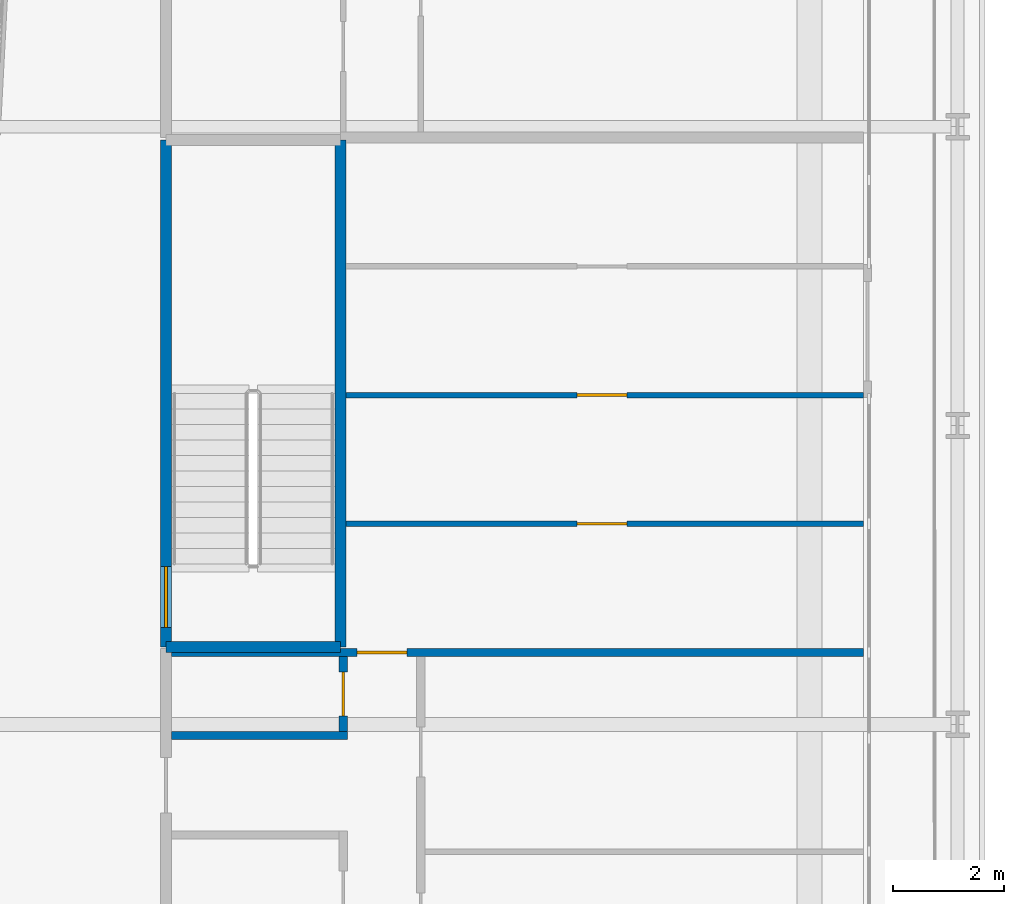
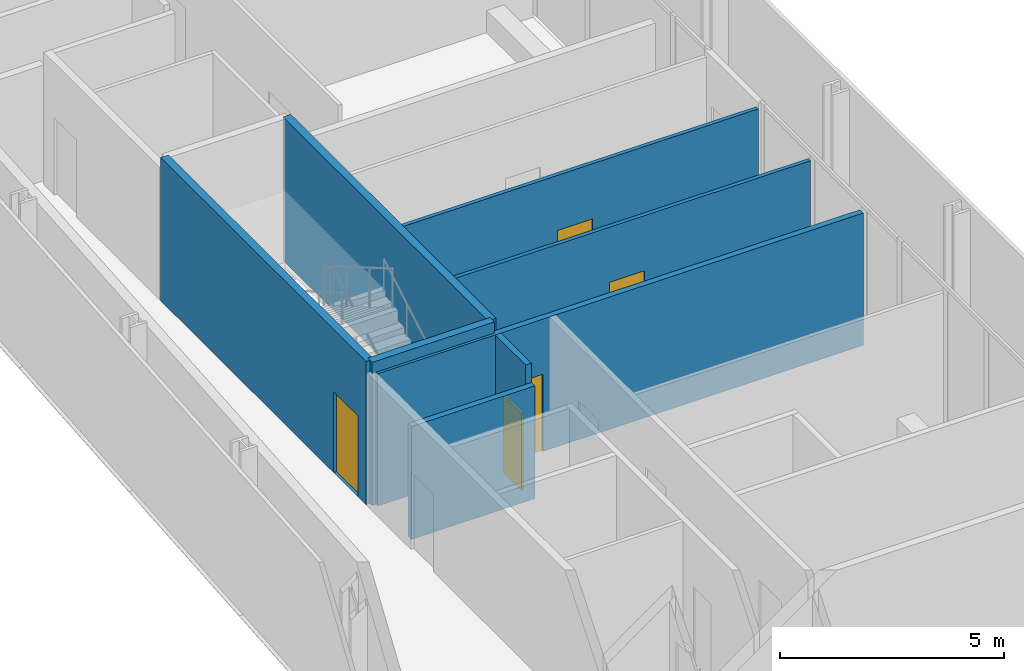
# One storey, part 17 of 27: 8 walls, 5 doors, 5 openings.
"""IFC4 building model written with IfcOpenShell, lengths in metres."""

from ifc_helpers import new_model, si_unit, direction, frame, frame_2d, origin, place, context, subcontext, project, spatial, rectangle, extrude, source, transform, mapped, material, layer, layer_set, type_object, element, fill, save


model = new_model("IFC4")

# Units and contexts
model_context = context("Model", 3, precision=1e-05, world=origin(), true_north=direction((0.0, 1.0)))
body_context = subcontext(model_context, "Body", "Model", "MODEL_VIEW")
ifc_project = project(units=[si_unit("LENGTHUNIT", "METRE"), si_unit("AREAUNIT", "SQUARE_METRE"), si_unit("VOLUMEUNIT", "CUBIC_METRE"), si_unit("PLANEANGLEUNIT", "RADIAN"), si_unit("MASSUNIT", "GRAM", prefix="KILO")], contexts=[model_context])

# Site, building, storey
site_placement = place(None, origin())
site = spatial("IfcSite", under=ifc_project, at=site_placement, CompositionType="ELEMENT")
building_placement = place(site_placement, origin())
building = spatial("IfcBuilding", under=site, at=building_placement, Name="Kheshtan School and Residences Tower", CompositionType="ELEMENT")
storey_placement = place(building_placement, frame((0.0, 0.0, 57.800048828125)))
storey = spatial("IfcBuildingStorey", under=building, at=storey_placement, Name="L13", CompositionType="ELEMENT", Elevation=57.800048828125)

# Wall, opening, door
ifc_material_1 = material(Name="Gypsum board on steel studs", Category="steel")
ifc_layer_1 = layer(ifc_material_1, 0.10009765625)
ifc_layer_set_1 = layer_set([ifc_layer_1], Name="Gypsum partition 100")
wall_type_1 = type_object("IfcWallType", Name="Gypsum partition 100", PredefinedType="PARTITIONING", material=ifc_layer_set_1)
wall_1_placement = place(storey_placement, frame((36.549072265625, 81.625, 0.0), z_axis=(0.0, 0.0, 1.0), x_axis=(1.0, 0.0, 0.0)))
wall_1 = element("IfcWall", 1, at=wall_1_placement, inside=storey, type_object=wall_type_1, Name="Partition L13-027", PredefinedType="PARTITIONING", context=body_context, shape_type="SweptSolid", body=[
    extrude(rectangle(XDim=9.350830078125, YDim=0.10009765625, at=frame_2d((4.67529296875, 0.0))), origin(), (0.0, 0.0, 1.0), 3.599853515625),
])
opening_1_placement = place(wall_1_placement, frame((4.176025390625, 0.0, 0.0)))
opening_1 = element("IfcOpeningElement", 2, at=opening_1_placement, cuts=wall_1, Name="Opening D12-049", PredefinedType="OPENING", context=body_context, shape_type="SweptSolid", body=[
    extrude(rectangle(XDim=0.89990234375, YDim=2.10009765625, at=frame_2d((0.449951171875, 1.050048828125))), frame((0.0, 0.06005859375, 0.0), z_axis=(0.0, -1.0, 0.0), x_axis=(1.0, 0.0, 0.0)), (0.0, 0.0, 1.0), 0.1201171875),
])
ifc_material_2 = material(Name="Veneered timber door leaf", Category="wood")
door_type_1 = type_object("IfcDoorType", Name="Door 900 x 2100", OperationType="SINGLE_SWING_LEFT", PredefinedType="DOOR", material=ifc_material_2)
shared_shape_1 = source(origin(), body_context, "Body", "SweptSolid", [
    extrude(rectangle(XDim=0.89990234375, YDim=2.10009765625, at=frame_2d((0.449951171875, 1.050048828125))), frame((0.0, 0.02490234375, 0.0), z_axis=(0.0, -1.0, 0.0), x_axis=(1.0, 0.0, 0.0)), (0.0, 0.0, 1.0), 0.050048828125),
])
door_1_placement = place(opening_1_placement, origin())
door_1 = element("IfcDoor", 3, at=door_1_placement, inside=storey, type_object=door_type_1, Name="Door D12-049", OperationType="SINGLE_SWING_RIGHT", OverallHeight=2.10009765625, OverallWidth=0.89990234375, PredefinedType="DOOR", context=body_context, shape_type="MappedRepresentation", body=[
    mapped(shared_shape_1, transform((0.0, 0.0, 0.0), x_axis=(1.0, 0.0, 0.0), y_axis=(0.0, 1.0, 0.0), z_axis=(0.0, 0.0, 1.0), scale=1.0)),
])
fill(opening_1, door_1)

wall_2_placement = place(storey_placement, frame((36.549072265625, 83.949951171875, 0.0), z_axis=(0.0, 0.0, 1.0), x_axis=(1.0, 0.0, 0.0)))
wall_2 = element("IfcWall", 4, at=wall_2_placement, inside=storey, type_object=wall_type_1, Name="Partition L13-028", PredefinedType="PARTITIONING", context=body_context, shape_type="SweptSolid", body=[
    extrude(rectangle(XDim=9.350830078125, YDim=0.10009765625, at=frame_2d((4.67529296875, 0.0))), origin(), (0.0, 0.0, 1.0), 3.599853515625),
])
opening_2_placement = place(wall_2_placement, frame((4.176025390625, 0.0, 0.0)))
opening_2 = element("IfcOpeningElement", 5, at=opening_2_placement, cuts=wall_2, Name="Opening D12-050", PredefinedType="OPENING", context=body_context, shape_type="SweptSolid", body=[
    extrude(rectangle(XDim=0.89990234375, YDim=2.10009765625, at=frame_2d((0.449951171875, 1.050048828125))), frame((0.0, 0.06005859375, 0.0), z_axis=(0.0, -1.0, 0.0), x_axis=(1.0, 0.0, 0.0)), (0.0, 0.0, 1.0), 0.1201171875),
])
door_2_placement = place(opening_2_placement, origin())
door_2 = element("IfcDoor", 6, at=door_2_placement, inside=storey, type_object=door_type_1, Name="Door D12-050", OperationType="SINGLE_SWING_RIGHT", OverallHeight=2.10009765625, OverallWidth=0.89990234375, PredefinedType="DOOR", context=body_context, shape_type="MappedRepresentation", body=[
    mapped(shared_shape_1, transform((0.0, 0.0, 0.0), x_axis=(1.0, 0.0, 0.0), y_axis=(0.0, 1.0, 0.0), z_axis=(0.0, 0.0, 1.0), scale=1.0)),
])
fill(opening_2, door_2)

# Wall
ifc_material_3 = material(Name="Concrete C40/50", Category="concrete")
ifc_layer_2 = layer(ifc_material_3, 0.199951171875)
ifc_layer_set_2 = layer_set([ifc_layer_2], Name="Stair enclosure wall 200 Concrete C40/50")
wall_type_2 = type_object("IfcWallType", Name="Stair enclosure wall 200 Concrete C40/50", PredefinedType="SHEAR", material=ifc_layer_set_2)
wall_3_placement = place(storey_placement, frame((33.300048828125, 79.39990234375, 0.0), z_axis=(0.0, 0.0, 1.0), x_axis=(1.0, 0.0, 0.0)))
element("IfcWall", 7, at=wall_3_placement, inside=storey, type_object=wall_type_2, Name="Stair enclosure wall ST3", PredefinedType="SHEAR", context=body_context, shape_type="SweptSolid", body=[
    extrude(rectangle(XDim=3.14990234375, YDim=0.199951171875, at=frame_2d((1.574951171875, 0.0))), origin(), (0.0, 0.0, 1.0), 3.89990234375),
])

# Wall, opening, door
wall_4_placement = place(storey_placement, frame((33.300048828125, 79.39990234375, 0.0), z_axis=(0.0, 0.0, 1.0), x_axis=(0.0, 1.0, 0.0)))
wall_4 = element("IfcWall", 8, at=wall_4_placement, inside=storey, type_object=wall_type_2, Name="Stair enclosure wall ST3", PredefinedType="SHEAR", context=body_context, shape_type="SweptSolid", body=[
    extrude(rectangle(XDim=9.16015625, YDim=0.199951171875, at=frame_2d((4.580078125, 0.0))), origin(), (0.0, 0.0, 1.0), 3.89990234375),
])
opening_3_placement = place(wall_4_placement, frame((0.35009765625, 0.0, 0.0)))
opening_3 = element("IfcOpeningElement", 9, at=opening_3_placement, cuts=wall_4, Name="Opening ST3D", PredefinedType="OPENING", context=body_context, shape_type="SweptSolid", body=[
    extrude(rectangle(XDim=1.10009765625, YDim=2.199951171875, at=frame_2d((0.550048828125, 1.10009765625))), frame((0.0, 0.10986328125, 0.0), z_axis=(0.0, -1.0, 0.0), x_axis=(1.0, 0.0, 0.0)), (0.0, 0.0, 1.0), 0.219970703125),
])
ifc_material_4 = material(Name="Steel door leaf, galvanised", Category="steel")
door_type_2 = type_object("IfcDoorType", Name="Stair door 1100 steel 90 min", OperationType="SINGLE_SWING_LEFT", PredefinedType="DOOR", material=ifc_material_4)
shared_shape_2 = source(origin(), body_context, "Body", "SweptSolid", [
    extrude(rectangle(XDim=1.10009765625, YDim=2.199951171875, at=frame_2d((0.550048828125, 1.10009765625))), frame((0.0, 0.02490234375, 0.0), z_axis=(0.0, -1.0, 0.0), x_axis=(1.0, 0.0, 0.0)), (0.0, 0.0, 1.0), 0.050048828125),
])
door_3_placement = place(opening_3_placement, origin())
door_3 = element("IfcDoor", 10, at=door_3_placement, inside=storey, type_object=door_type_2, Name="Stair ST3 door", OperationType="SINGLE_SWING_RIGHT", OverallHeight=2.199951171875, OverallWidth=1.10009765625, PredefinedType="DOOR", context=body_context, shape_type="MappedRepresentation", body=[
    mapped(shared_shape_2, transform((0.0, 0.0, 0.0), x_axis=(1.0, 0.0, 0.0), y_axis=(0.0, 1.0, 0.0), z_axis=(0.0, 0.0, 1.0), scale=1.0)),
])
fill(opening_3, door_3)

# Walls
wall_5_placement = place(storey_placement, frame((36.449951171875, 79.39990234375, 0.0), z_axis=(0.0, 0.0, 1.0), x_axis=(0.0, 1.0, 0.0)))
element("IfcWall", 11, at=wall_5_placement, inside=storey, type_object=wall_type_2, Name="Stair enclosure wall ST3", PredefinedType="SHEAR", context=body_context, shape_type="SweptSolid", body=[
    extrude(rectangle(XDim=9.16015625, YDim=0.199951171875, at=frame_2d((4.580078125, 0.0))), origin(), (0.0, 0.0, 1.0), 3.89990234375),
])
ifc_material_5 = material(Name="Moisture-resistant gypsum board on steel studs", Category="steel")
ifc_layer_3 = layer(ifc_material_5, 0.14990234375)
ifc_layer_set_3 = layer_set([ifc_layer_3], Name="Wet-room partition 150")
wall_type_3 = type_object("IfcWallType", Name="Wet-room partition 150", PredefinedType="PARTITIONING", material=ifc_layer_set_3)
wall_6_placement = place(storey_placement, frame((33.39990234375, 77.800048828125, 0.0), z_axis=(0.0, 0.0, 1.0), x_axis=(1.0, 0.0, 0.0)))
element("IfcWall", 12, at=wall_6_placement, inside=storey, type_object=wall_type_3, Name="Partition L13-014", PredefinedType="PARTITIONING", context=body_context, shape_type="SweptSolid", body=[
    extrude(rectangle(XDim=3.175048828125, YDim=0.14990234375, at=frame_2d((1.58740234375, 0.0))), origin(), (0.0, 0.0, 1.0), 3.072021484375),
])

# Wall, opening, door
wall_7_placement = place(storey_placement, frame((33.39990234375, 79.300048828125, 0.0), z_axis=(0.0, 0.0, 1.0), x_axis=(1.0, 0.0, 0.0)))
wall_7 = element("IfcWall", 13, at=wall_7_placement, inside=storey, type_object=wall_type_3, Name="Partition L13-015", PredefinedType="PARTITIONING", context=body_context, shape_type="SweptSolid", body=[
    extrude(rectangle(XDim=12.5, YDim=0.14990234375, at=frame_2d((6.25, 0.0))), origin(), (0.0, 0.0, 1.0), 3.599853515625),
])
opening_4_placement = place(wall_7_placement, frame((3.35009765625, 0.0, 0.0)))
opening_4 = element("IfcOpeningElement", 14, at=opening_4_placement, cuts=wall_7, Name="Opening D12-048", PredefinedType="OPENING", context=body_context, shape_type="SweptSolid", body=[
    extrude(rectangle(XDim=0.89990234375, YDim=2.10009765625, at=frame_2d((0.449951171875, 1.050048828125))), frame((0.0, 0.0849609375, 0.0), z_axis=(0.0, -1.0, 0.0), x_axis=(1.0, 0.0, 0.0)), (0.0, 0.0, 1.0), 0.169921875),
])
door_4_placement = place(opening_4_placement, origin())
door_4 = element("IfcDoor", 15, at=door_4_placement, inside=storey, type_object=door_type_1, Name="Door D12-048", OperationType="SINGLE_SWING_LEFT", OverallHeight=2.10009765625, OverallWidth=0.89990234375, PredefinedType="DOOR", context=body_context, shape_type="MappedRepresentation", body=[
    mapped(shared_shape_1, transform((0.0, 0.0, 0.0), x_axis=(1.0, 0.0, 0.0), y_axis=(0.0, 1.0, 0.0), z_axis=(0.0, 0.0, 1.0), scale=1.0)),
])
fill(opening_4, door_4)

wall_8_placement = place(storey_placement, frame((36.5, 77.875, 0.0), z_axis=(0.0, 0.0, 1.0), x_axis=(0.0, 1.0, 0.0)))
wall_8 = element("IfcWall", 16, at=wall_8_placement, inside=storey, type_object=wall_type_3, Name="Partition L13-024", PredefinedType="PARTITIONING", context=body_context, shape_type="SweptSolid", body=[
    extrude(rectangle(XDim=1.35009765625, YDim=0.14990234375, at=frame_2d((0.675048828125, 0.0))), origin(), (0.0, 0.0, 1.0), 3.599853515625),
])
opening_5_placement = place(wall_8_placement, frame((0.27490234375, 0.0, 0.0)))
opening_5 = element("IfcOpeningElement", 17, at=opening_5_placement, cuts=wall_8, Name="Opening D12-047", PredefinedType="OPENING", context=body_context, shape_type="SweptSolid", body=[
    extrude(rectangle(XDim=0.800048828125, YDim=2.10009765625, at=frame_2d((0.39990234375, 1.050048828125))), frame((0.0, 0.0849609375, 0.0), z_axis=(0.0, -1.0, 0.0), x_axis=(1.0, 0.0, 0.0)), (0.0, 0.0, 1.0), 0.169921875),
])
door_type_3 = type_object("IfcDoorType", Name="Door 800 x 2100", OperationType="SINGLE_SWING_LEFT", PredefinedType="DOOR", material=ifc_material_2)
shared_shape_3 = source(origin(), body_context, "Body", "SweptSolid", [
    extrude(rectangle(XDim=0.800048828125, YDim=2.10009765625, at=frame_2d((0.39990234375, 1.050048828125))), frame((0.0, 0.02490234375, 0.0), z_axis=(0.0, -1.0, 0.0), x_axis=(1.0, 0.0, 0.0)), (0.0, 0.0, 1.0), 0.050048828125),
])
door_5_placement = place(opening_5_placement, origin())
door_5 = element("IfcDoor", 18, at=door_5_placement, inside=storey, type_object=door_type_3, Name="Door D12-047", OperationType="SINGLE_SWING_LEFT", OverallHeight=2.10009765625, OverallWidth=0.800048828125, PredefinedType="DOOR", context=body_context, shape_type="MappedRepresentation", body=[
    mapped(shared_shape_3, transform((0.0, 0.0, 0.0), x_axis=(1.0, 0.0, 0.0), y_axis=(0.0, 1.0, 0.0), z_axis=(0.0, 0.0, 1.0), scale=1.0)),
])
fill(opening_5, door_5)

save(model, "model.ifc")
